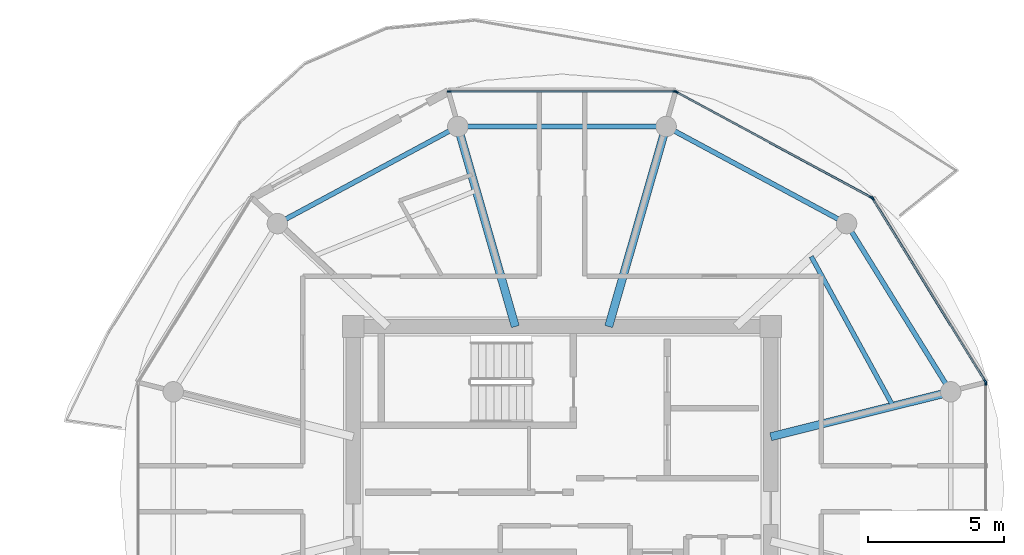
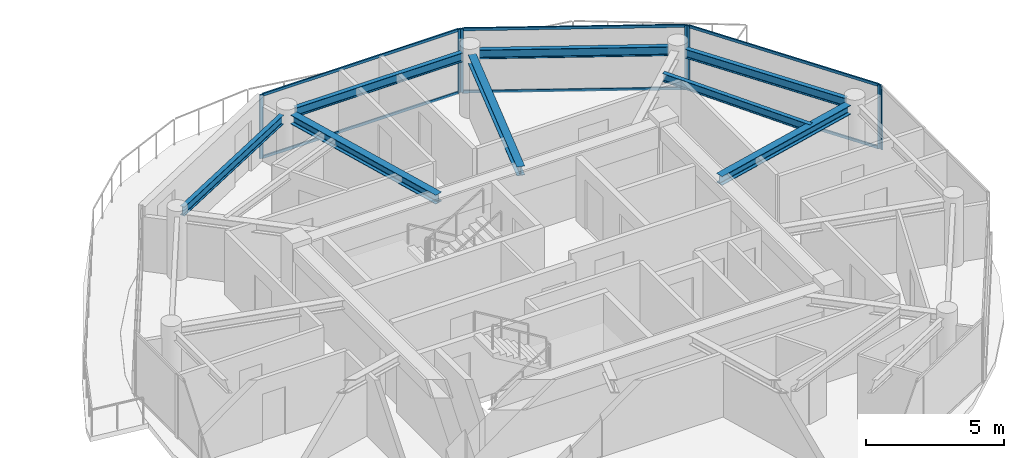
# One storey, part 7 of 19: 13 members, 8 beams, 4 elements without a shape of their own.
"""IFC4 building model written with IfcOpenShell, lengths in metres."""

from ifc_helpers import new_model, si_unit, direction, frame, origin, origin_2d, place, context, subcontext, project, spatial, rectangle, i_section, extrude, source, transform, mapped, material, layer, layer_set, material_profile, profile_set, type_object, type_shapes, element, aggregate, save


model = new_model("IFC4")

# Units and contexts
model_context = context("Model", 3, precision=1e-05, world=origin(), true_north=direction((0.0, 1.0)))
body_context = subcontext(model_context, "Body", "Model", "MODEL_VIEW")
ifc_project = project(units=[si_unit("LENGTHUNIT", "METRE"), si_unit("AREAUNIT", "SQUARE_METRE"), si_unit("VOLUMEUNIT", "CUBIC_METRE"), si_unit("PLANEANGLEUNIT", "RADIAN"), si_unit("MASSUNIT", "GRAM", prefix="KILO")], contexts=[model_context])

# Site, building, storey
site_placement = place(None, origin())
site = spatial("IfcSite", under=ifc_project, at=site_placement, CompositionType="ELEMENT")
building_placement = place(site_placement, origin())
building = spatial("IfcBuilding", under=site, at=building_placement, Name="Norrkilde Senior Care Towers", CompositionType="ELEMENT")
storey_placement = place(building_placement, frame((0.0, 0.0, 238.300048828125)))
storey = spatial("IfcBuildingStorey", under=building, at=storey_placement, Name="L74", CompositionType="ELEMENT", Elevation=238.300048828125)

# Beams
ifc_material_1 = material(Name="Steel S355", Category="steel")
ifc_material_profile_1 = material_profile(ifc_material_1, i_section(OverallWidth=0.179931640625, OverallDepth=0.39990234375, WebThickness=0.008544921875, FlangeThickness=0.013427734375, FilletRadius=0.02099609375, at=origin_2d()), Name="IPE 400")
ifc_profile_set_1 = profile_set([ifc_material_profile_1], Name="Steel S355")
beam_type_1 = type_object("IfcBeamType", Name="Perimeter Ring Spandrel Z4 IPE400", PredefinedType="SPANDREL", material=ifc_profile_set_1)
shared_shape_1 = source(origin(), body_context, "Body", "SweptSolid", [
    extrude(i_section(OverallWidth=0.179931640625, OverallDepth=0.39990234375, WebThickness=0.008544921875, FlangeThickness=0.013427734375, FilletRadius=0.02099609375, at=origin_2d()), origin(), (0.0, 0.0, 1.0), 6.58056640625),
])
beam_1_placement = place(storey_placement, frame((42.071044921875, 3.843505859375, 2.60986328125), z_axis=(-0.526529583789, 0.850156807533, 0.0), x_axis=(-0.850156807533, -0.526529583789, 0.0)))
element("IfcBeam", 1, at=beam_1_placement, inside=storey, type_object=beam_type_1, Name="L74 Drum E Perimeter Spandrel 01", PredefinedType="SPANDREL", context=body_context, shape_type="MappedRepresentation", body=[
    mapped(shared_shape_1, transform((0.0, 0.0, 0.0), x_axis=(1.0, 0.0, 0.0), y_axis=(0.0, 1.0, 0.0), z_axis=(0.0, 0.0, 1.0), scale=1.0)),
])
ifc_material_profile_2 = material_profile(ifc_material_1, i_section(OverallWidth=0.300048828125, OverallDepth=0.39990234375, WebThickness=0.013427734375, FlangeThickness=0.02392578125, FilletRadius=0.027099609375, at=origin_2d()), Name="HEB 400")
ifc_profile_set_2 = profile_set([ifc_material_profile_2], Name="Steel S355")
beam_type_2 = type_object("IfcBeamType", Name="Radial Floor Beam Z4 HEB400", PredefinedType="BEAM", material=ifc_profile_set_2)
shared_shape_2 = source(origin(), body_context, "Body", "SweptSolid", [
    extrude(i_section(OverallWidth=0.300048828125, OverallDepth=0.39990234375, WebThickness=0.013427734375, FlangeThickness=0.02392578125, FilletRadius=0.027099609375, at=origin_2d()), origin(), (0.0, 0.0, 1.0), 6.465087890625),
])
beam_2_placement = place(storey_placement, frame((35.64990234375, 1.910888671875, 2.60986328125), z_axis=(0.970195788563, 0.242322371758, 0.0), x_axis=(-0.242322371758, 0.970195788563, 0.0)))
element("IfcBeam", 2, at=beam_2_placement, inside=storey, type_object=beam_type_2, Name="L74 Drum E Radial Floor Beam 01", PredefinedType="BEAM", context=body_context, shape_type="MappedRepresentation", body=[
    mapped(shared_shape_2, transform((0.0, 0.0, 0.0), x_axis=(1.0, 0.0, 0.0), y_axis=(0.0, 1.0, 0.0), z_axis=(0.0, 0.0, 1.0), scale=1.0)),
])
shared_shape_3 = source(origin(), body_context, "Body", "SweptSolid", [
    extrude(i_section(OverallWidth=0.179931640625, OverallDepth=0.39990234375, WebThickness=0.008544921875, FlangeThickness=0.013427734375, FilletRadius=0.02099609375, at=origin_2d()), origin(), (0.0, 0.0, 1.0), 6.839111328125),
])
for number, where, z_axis, x_axis, name in (
    (3, (38.134765625, 9.881591796875, 2.60986328125), (-0.880563930732, 0.473927382511, 0.0), (-0.473927382511, -0.880563930732, 0.0), "L74 Drum E Perimeter Spandrel 02"),
    (4, (23.887451171875, 13.122802734375, 2.60986328125), (-0.880563930732, -0.473927382511, 0.0), (0.473927382511, -0.880563930732, 0.0), "L74 Drum E Perimeter Spandrel 04"),
):
    element("IfcBeam", number, at=place(storey_placement, frame(where, z_axis=z_axis, x_axis=x_axis)), inside=storey, type_object=beam_type_1, Name=name, PredefinedType="SPANDREL", context=body_context, shape_type="MappedRepresentation", body=[
        mapped(shared_shape_3, transform((0.0, 0.0, 0.0), x_axis=(1.0, 0.0, 0.0), y_axis=(0.0, 1.0, 0.0), z_axis=(0.0, 0.0, 1.0), scale=1.0)),
    ])
shared_shape_4 = source(origin(), body_context, "Body", "SweptSolid", [
    extrude(i_section(OverallWidth=0.179931640625, OverallDepth=0.39990234375, WebThickness=0.008544921875, FlangeThickness=0.013427734375, FilletRadius=0.02099609375, at=origin_2d()), origin(), (0.0, 0.0, 1.0), 6.96533203125),
])
type_shapes(beam_type_1, [shared_shape_1, shared_shape_3, shared_shape_4])
beam_3_placement = place(storey_placement, frame((31.482666015625, 13.281494140625, 2.60986328125), z_axis=(-1.0, 0.0, 0.0), x_axis=(0.0, -1.0, 0.0)))
element("IfcBeam", 5, at=beam_3_placement, inside=storey, type_object=beam_type_1, Name="L74 Drum E Perimeter Spandrel 03", PredefinedType="SPANDREL", context=body_context, shape_type="MappedRepresentation", body=[
    mapped(shared_shape_4, transform((0.0, 0.0, 0.0), x_axis=(1.0, 0.0, 0.0), y_axis=(0.0, 1.0, 0.0), z_axis=(0.0, 0.0, 1.0), scale=1.0)),
])
shared_shape_5 = source(origin(), body_context, "Body", "SweptSolid", [
    extrude(i_section(OverallWidth=0.300048828125, OverallDepth=0.39990234375, WebThickness=0.013427734375, FlangeThickness=0.02392578125, FilletRadius=0.027099609375, at=origin_2d()), origin(), (0.0, 0.0, 1.0), 7.29345703125),
])
type_shapes(beam_type_2, [shared_shape_2, shared_shape_5])
for number, where, z_axis, x_axis, name in (
    (6, (29.710205078125, 5.949951171875, 2.60986328125), (0.276263751906, 0.961081858836, 0.0), (-0.961081858836, 0.276263751906, 0.0), "L74 Drum E Radial Floor Beam 03"),
    (7, (26.289794921875, 5.949951171875, 2.60986328125), (-0.276263751906, 0.961081858836, 0.0), (-0.961081858836, -0.276263751906, 0.0), "L74 Drum E Radial Floor Beam 04"),
):
    element("IfcBeam", number, at=place(storey_placement, frame(where, z_axis=z_axis, x_axis=x_axis)), inside=storey, type_object=beam_type_2, Name=name, PredefinedType="BEAM", context=body_context, shape_type="MappedRepresentation", body=[
        mapped(shared_shape_5, transform((0.0, 0.0, 0.0), x_axis=(1.0, 0.0, 0.0), y_axis=(0.0, 1.0, 0.0), z_axis=(0.0, 0.0, 1.0), scale=1.0)),
    ])
ifc_material_profile_3 = material_profile(ifc_material_1, i_section(OverallWidth=0.169921875, OverallDepth=0.360107421875, WebThickness=0.008056640625, FlangeThickness=0.0126953125, FilletRadius=0.01806640625, at=origin_2d()), Name="IPE 360")
ifc_profile_set_3 = profile_set([ifc_material_profile_3], Name="Steel S355")
beam_type_3 = type_object("IfcBeamType", Name="Secondary Floor Joist IPE360", PredefinedType="JOIST", material=ifc_profile_set_3)
shared_shape_6 = source(origin(), body_context, "Body", "SweptSolid", [
    extrude(i_section(OverallWidth=0.169921875, OverallDepth=0.360107421875, WebThickness=0.008056640625, FlangeThickness=0.0126953125, FilletRadius=0.01806640625, at=origin_2d()), origin(), (0.0, 0.0, 1.0), 6.25146484375),
])
type_shapes(beam_type_3, [shared_shape_6])
beam_4_placement = place(storey_placement, frame((40.13623046875, 3.031494140625, 2.6298828125), z_axis=(-0.480115752653, 0.877205143655, 0.0), x_axis=(-0.877205143655, -0.480115752653, 0.0)))
element("IfcBeam", 8, at=beam_4_placement, inside=storey, type_object=beam_type_3, Name="L74 Drum E Secondary Floor Joist 1", PredefinedType="JOIST", context=body_context, shape_type="MappedRepresentation", body=[
    mapped(shared_shape_6, transform((0.0, 0.0, 0.0), x_axis=(1.0, 0.0, 0.0), y_axis=(0.0, 1.0, 0.0), z_axis=(0.0, 0.0, 1.0), scale=1.0)),
])

# Curtain wall, members
ifc_material_2 = material(Name="Triple Low-E Insulated Glazing", Category="glass")
ifc_layer = layer(ifc_material_2, 0.18505859375)
ifc_layer_set = layer_set([ifc_layer], Name="Triple Low-E Insulated Glazing")
curtain_wall_type = type_object("IfcCurtainWallType", Name="CW6 Zone 4 Crown Pavilion Curtain Wall", PredefinedType="NOTDEFINED", material=ifc_layer_set)
curtain_wall_1_placement = place(storey_placement, origin())
curtain_wall_1 = element("IfcCurtainWall", 9, at=curtain_wall_1_placement, inside=storey, type_object=curtain_wall_type, Name="L74 Drum E Curtain Wall 00", PredefinedType="NOTDEFINED")
ifc_material_3 = material(Name="Anodised Aluminium", Category="aluminium")
ifc_material_profile_4 = material_profile(ifc_material_3, rectangle(XDim=0.06494140625, YDim=0.14990234375, at=origin_2d()), Name="ALU MULL 65x150")
ifc_profile_set_4 = profile_set([ifc_material_profile_4], Name="Anodised Aluminium")
member_type_1 = type_object("IfcMemberType", Name="Curtain Wall Mullion Z3-Z4 65x150", PredefinedType="MULLION", material=ifc_profile_set_4)
shared_shape_7 = source(origin(), body_context, "Body", "SweptSolid", [
    extrude(rectangle(XDim=0.06494140625, YDim=0.14990234375, at=origin_2d()), origin(), (0.0, 0.0, 1.0), 2.81005859375),
])
type_shapes(member_type_1, [shared_shape_7])
member_1_placement = place(storey_placement, frame((39.38720703125, 10.635498046875, 0.0), z_axis=(0.0, 0.0, 1.0), x_axis=(0.851562727283, 0.524252726748, 0.0)))
member_1 = element("IfcMember", 10, at=member_1_placement, type_object=member_type_1, Name="CW-6 mullion 1", PredefinedType="MULLION", context=body_context, shape_type="MappedRepresentation", body=[
    mapped(shared_shape_7, transform((0.0, 0.0, 0.0), x_axis=(1.0, 0.0, 0.0), y_axis=(0.0, 1.0, 0.0), z_axis=(0.0, 0.0, 1.0), scale=1.0)),
])
member_2_placement = place(storey_placement, frame((43.51513671875, 3.9306640625, 0.0), z_axis=(0.0, 0.0, 1.0), x_axis=(0.851562727283, 0.524252726748, 0.0)))
member_2 = element("IfcMember", 11, at=member_2_placement, type_object=member_type_1, Name="CW-6 mullion 2", PredefinedType="MULLION", context=body_context, shape_type="MappedRepresentation", body=[
    mapped(shared_shape_7, transform((0.0, 0.0, 0.0), x_axis=(1.0, 0.0, 0.0), y_axis=(0.0, 1.0, 0.0), z_axis=(0.0, 0.0, 1.0), scale=1.0)),
])

curtain_wall_2_placement = place(storey_placement, origin())
curtain_wall_2 = element("IfcCurtainWall", 12, at=curtain_wall_2_placement, inside=storey, type_object=curtain_wall_type, Name="L74 Drum E Curtain Wall 01", PredefinedType="NOTDEFINED")
member_3_placement = place(storey_placement, frame((32.1904296875, 14.55078125, 0.0), z_axis=(0.0, 0.0, 1.0), x_axis=(0.476132676136, 0.879373455772, 0.0)))
member_3 = element("IfcMember", 13, at=member_3_placement, type_object=member_type_1, Name="CW-6 mullion 1", PredefinedType="MULLION", context=body_context, shape_type="MappedRepresentation", body=[
    mapped(shared_shape_7, transform((0.0, 0.0, 0.0), x_axis=(1.0, 0.0, 0.0), y_axis=(0.0, 1.0, 0.0), z_axis=(0.0, 0.0, 1.0), scale=1.0)),
])
member_4_placement = place(storey_placement, frame((39.341796875, 10.6787109375, 0.0), z_axis=(0.0, 0.0, 1.0), x_axis=(0.476132676136, 0.879373455772, 0.0)))
member_4 = element("IfcMember", 14, at=member_4_placement, type_object=member_type_1, Name="CW-6 mullion 2", PredefinedType="MULLION", context=body_context, shape_type="MappedRepresentation", body=[
    mapped(shared_shape_7, transform((0.0, 0.0, 0.0), x_axis=(1.0, 0.0, 0.0), y_axis=(0.0, 1.0, 0.0), z_axis=(0.0, 0.0, 1.0), scale=1.0)),
])

curtain_wall_3_placement = place(storey_placement, origin())
curtain_wall_3 = element("IfcCurtainWall", 15, at=curtain_wall_3_placement, inside=storey, type_object=curtain_wall_type, Name="L74 Drum E Curtain Wall 02", PredefinedType="NOTDEFINED")
member_5_placement = place(storey_placement, frame((23.87060546875, 14.566162109375, 0.0), z_axis=(0.0, 0.0, 1.0), x_axis=(0.0, 1.0, 0.0)))
member_5 = element("IfcMember", 16, at=member_5_placement, type_object=member_type_1, Name="CW-6 mullion 1", PredefinedType="MULLION", context=body_context, shape_type="MappedRepresentation", body=[
    mapped(shared_shape_7, transform((0.0, 0.0, 0.0), x_axis=(1.0, 0.0, 0.0), y_axis=(0.0, 1.0, 0.0), z_axis=(0.0, 0.0, 1.0), scale=1.0)),
])
member_6_placement = place(storey_placement, frame((32.12939453125, 14.566162109375, 0.0), z_axis=(0.0, 0.0, 1.0), x_axis=(0.0, 1.0, 0.0)))
member_6 = element("IfcMember", 17, at=member_6_placement, type_object=member_type_1, Name="CW-6 mullion 2", PredefinedType="MULLION", context=body_context, shape_type="MappedRepresentation", body=[
    mapped(shared_shape_7, transform((0.0, 0.0, 0.0), x_axis=(1.0, 0.0, 0.0), y_axis=(0.0, 1.0, 0.0), z_axis=(0.0, 0.0, 1.0), scale=1.0)),
])

# Curtain wall, member
curtain_wall_4_placement = place(storey_placement, origin())
curtain_wall_4 = element("IfcCurtainWall", 18, at=curtain_wall_4_placement, inside=storey, type_object=curtain_wall_type, Name="L74 Drum E Curtain Wall 11", PredefinedType="NOTDEFINED")
member_7_placement = place(storey_placement, frame((43.531982421875, 3.87060546875, 0.0), z_axis=(0.0, 0.0, 1.0), x_axis=(1.0, 0.0, 0.0)))
member_7 = element("IfcMember", 19, at=member_7_placement, type_object=member_type_1, Name="CW-6 mullion 1", PredefinedType="MULLION", context=body_context, shape_type="MappedRepresentation", body=[
    mapped(shared_shape_7, transform((0.0, 0.0, 0.0), x_axis=(1.0, 0.0, 0.0), y_axis=(0.0, 1.0, 0.0), z_axis=(0.0, 0.0, 1.0), scale=1.0)),
])
aggregate(curtain_wall_4, [member_7])

# Member
ifc_material_profile_5 = material_profile(ifc_material_3, rectangle(XDim=0.06005859375, YDim=0.1201171875, at=origin_2d()), Name="ALU TRAN 60x120")
ifc_profile_set_5 = profile_set([ifc_material_profile_5], Name="Anodised Aluminium")
member_type_2 = type_object("IfcMemberType", Name="Curtain Wall Transom Typical 60x120", PredefinedType="USERDEFINED", material=ifc_profile_set_5)
shared_shape_8 = source(origin(), body_context, "Body", "SweptSolid", [
    extrude(rectangle(XDim=0.06005859375, YDim=0.1201171875, at=origin_2d()), origin(), (0.0, 0.0, 1.0), 7.808837890625),
])
member_8_placement = place(storey_placement, frame((39.404296875, 10.60791015625, 0.030029296875), z_axis=(0.524250924101, -0.851563837055, 0.0), x_axis=(0.851563837055, 0.524250924101, 0.0)))
member_8 = element("IfcMember", 20, at=member_8_placement, type_object=member_type_2, Name="CW-6 transom 1.1", ObjectType="TRANSOM", PredefinedType="USERDEFINED", context=body_context, shape_type="MappedRepresentation", body=[
    mapped(shared_shape_8, transform((0.0, 0.0, 0.0), x_axis=(1.0, 0.0, 0.0), y_axis=(0.0, 1.0, 0.0), z_axis=(0.0, 0.0, 1.0), scale=1.0)),
])

member_9_placement = place(storey_placement, frame((39.404296875, 10.60791015625, 2.780029296875), z_axis=(0.524250924101, -0.851563837055, 0.0), x_axis=(0.851563837055, 0.524250924101, 0.0)))
member_9 = element("IfcMember", 21, at=member_9_placement, type_object=member_type_2, Name="CW-6 transom 1.2", ObjectType="TRANSOM", PredefinedType="USERDEFINED", context=body_context, shape_type="MappedRepresentation", body=[
    mapped(shared_shape_8, transform((0.0, 0.0, 0.0), x_axis=(1.0, 0.0, 0.0), y_axis=(0.0, 1.0, 0.0), z_axis=(0.0, 0.0, 1.0), scale=1.0)),
])

aggregate(curtain_wall_1, [member_1, member_2, member_8, member_9])

shared_shape_9 = source(origin(), body_context, "Body", "SweptSolid", [
    extrude(rectangle(XDim=0.06005859375, YDim=0.1201171875, at=origin_2d()), origin(), (0.0, 0.0, 1.0), 8.19384765625),
])
member_10_placement = place(storey_placement, frame((23.903076171875, 14.566162109375, 0.030029296875), z_axis=(1.0, 0.0, 0.0), x_axis=(0.0, 1.0, 0.0)))
member_10 = element("IfcMember", 22, at=member_10_placement, type_object=member_type_2, Name="CW-6 transom 1.1", ObjectType="TRANSOM", PredefinedType="USERDEFINED", context=body_context, shape_type="MappedRepresentation", body=[
    mapped(shared_shape_9, transform((0.0, 0.0, 0.0), x_axis=(1.0, 0.0, 0.0), y_axis=(0.0, 1.0, 0.0), z_axis=(0.0, 0.0, 1.0), scale=1.0)),
])

member_11_placement = place(storey_placement, frame((23.903076171875, 14.566162109375, 2.780029296875), z_axis=(1.0, 0.0, 0.0), x_axis=(0.0, 1.0, 0.0)))
member_11 = element("IfcMember", 23, at=member_11_placement, type_object=member_type_2, Name="CW-6 transom 1.2", ObjectType="TRANSOM", PredefinedType="USERDEFINED", context=body_context, shape_type="MappedRepresentation", body=[
    mapped(shared_shape_9, transform((0.0, 0.0, 0.0), x_axis=(1.0, 0.0, 0.0), y_axis=(0.0, 1.0, 0.0), z_axis=(0.0, 0.0, 1.0), scale=1.0)),
])

aggregate(curtain_wall_3, [member_5, member_6, member_10, member_11])

shared_shape_10 = source(origin(), body_context, "Body", "SweptSolid", [
    extrude(rectangle(XDim=0.06005859375, YDim=0.1201171875, at=origin_2d()), origin(), (0.0, 0.0, 1.0), 8.0673828125),
])
type_shapes(member_type_2, [shared_shape_8, shared_shape_9, shared_shape_10])
member_12_placement = place(storey_placement, frame((32.218994140625, 14.53515625, 0.030029296875), z_axis=(0.87937750072, -0.476125205411, 0.0), x_axis=(0.476125205411, 0.87937750072, 0.0)))
member_12 = element("IfcMember", 24, at=member_12_placement, type_object=member_type_2, Name="CW-6 transom 1.1", ObjectType="TRANSOM", PredefinedType="USERDEFINED", context=body_context, shape_type="MappedRepresentation", body=[
    mapped(shared_shape_10, transform((0.0, 0.0, 0.0), x_axis=(1.0, 0.0, 0.0), y_axis=(0.0, 1.0, 0.0), z_axis=(0.0, 0.0, 1.0), scale=1.0)),
])

member_13_placement = place(storey_placement, frame((32.218994140625, 14.53515625, 2.780029296875), z_axis=(0.87937750072, -0.476125205411, 0.0), x_axis=(0.476125205411, 0.87937750072, 0.0)))
member_13 = element("IfcMember", 25, at=member_13_placement, type_object=member_type_2, Name="CW-6 transom 1.2", ObjectType="TRANSOM", PredefinedType="USERDEFINED", context=body_context, shape_type="MappedRepresentation", body=[
    mapped(shared_shape_10, transform((0.0, 0.0, 0.0), x_axis=(1.0, 0.0, 0.0), y_axis=(0.0, 1.0, 0.0), z_axis=(0.0, 0.0, 1.0), scale=1.0)),
])

aggregate(curtain_wall_2, [member_3, member_4, member_12, member_13])

save(model, "model.ifc")
